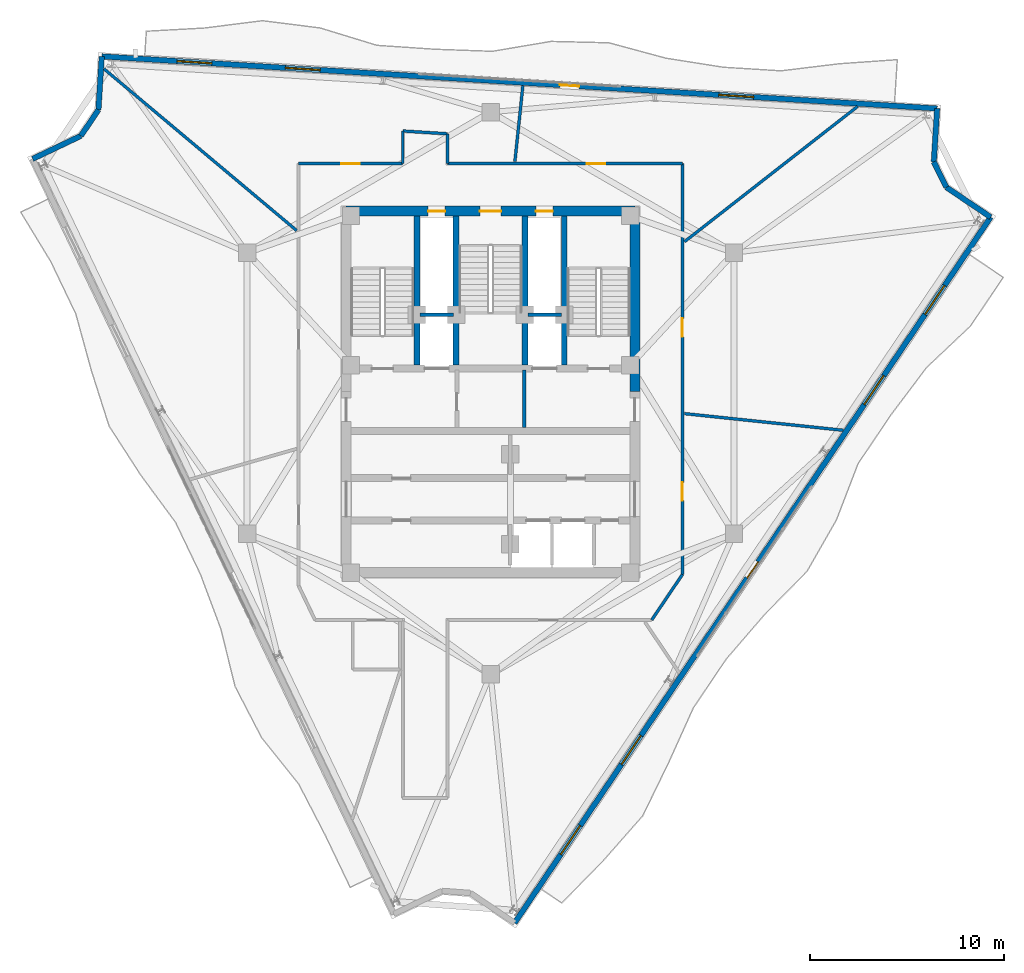
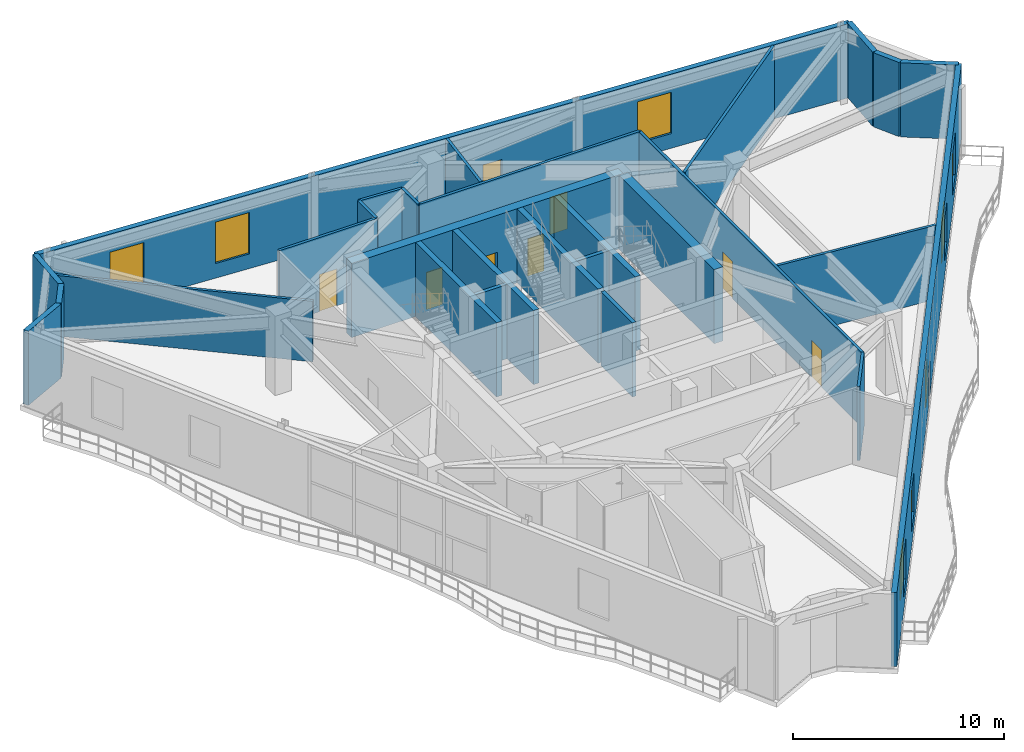
# One storey, part 11 of 15: 28 walls, 9 doors, 7 windows, 16 openings.
"""IFC4 building model written with IfcOpenShell, lengths in metres."""

from ifc_helpers import new_model, si_unit, direction, frame, frame_2d, origin, place, context, subcontext, project, spatial, rectangle, extrude, material, layer, layer_set, type_object, element, fill, save


model = new_model("IFC4")

# Units and contexts
model_context = context("Model", 3, precision=1e-05, world=origin(), true_north=direction((0.0, 1.0)))
body_context = subcontext(model_context, "Body", "Model", "MODEL_VIEW")
ifc_project = project(units=[si_unit("LENGTHUNIT", "METRE"), si_unit("AREAUNIT", "SQUARE_METRE"), si_unit("VOLUMEUNIT", "CUBIC_METRE"), si_unit("PLANEANGLEUNIT", "RADIAN"), si_unit("MASSUNIT", "GRAM", prefix="KILO")], contexts=[model_context])

# Site, building, storey
site_placement = place(None, origin())
site = spatial("IfcSite", under=ifc_project, at=site_placement, CompositionType="ELEMENT")
building_placement = place(site_placement, origin())
building = spatial("IfcBuilding", under=site, at=building_placement, Name="Apsidion Concourse Tower", CompositionType="ELEMENT")
storey_placement = place(building_placement, frame((0.0, 0.0, 323.39990234375)))
storey = spatial("IfcBuildingStorey", under=building, at=storey_placement, Name="L76", CompositionType="ELEMENT", Elevation=323.39990234375)

# Wall, openings, door, windows
ifc_material_1 = material(Name="Precast concrete C40/50", Category="concrete")
ifc_layer_1 = layer(ifc_material_1, 0.280029296875)
ifc_layer_set_1 = layer_set([ifc_layer_1], Name="Precast concrete C40/50")
wall_type_1 = type_object("IfcWallType", Name="WL-EXT-280", PredefinedType="STANDARD", material=ifc_layer_set_1)
wall_1_placement = place(storey_placement, frame((-20.056396484375, 17.376220703125, 0.0), z_axis=(0.0, 0.0, 1.0), x_axis=(0.998061236898, -0.06223959674, 0.0)))
wall_1 = element("IfcWall", 1, at=wall_1_placement, inside=storey, type_object=wall_type_1, Name="L76 Precast Stone Facade Wall 01", PredefinedType="STANDARD", context=body_context, shape_type="SweptSolid", body=[
    extrude(rectangle(XDim=43.179931640625, YDim=0.280029296875, at=frame_2d((21.58984375, 0.0))), origin(), (0.0, 0.0, 1.0), 4.300048828125),
])
opening_1_placement = place(wall_1_placement, frame((23.680908203125, 0.0, 0.0)))
opening_1 = element("IfcOpeningElement", 2, at=opening_1_placement, cuts=wall_1, Name="Opening D-T1L", PredefinedType="OPENING", context=body_context, shape_type="SweptSolid", body=[
    extrude(rectangle(XDim=1.0, YDim=2.14990234375, at=frame_2d((0.5, 1.074951171875))), frame((0.0, 0.14990234375, 0.0), z_axis=(0.0, -1.0, 0.0), x_axis=(1.0, 0.0, 0.0)), (0.0, 0.0, 1.0), 0.300048828125),
])
opening_2_placement = place(wall_1_placement, frame((3.889892578125, 0.0, 0.85009765625)))
opening_2 = element("IfcOpeningElement", 3, at=opening_2_placement, cuts=wall_1, Name="Opening WN-09", PredefinedType="OPENING", context=body_context, shape_type="SweptSolid", body=[
    extrude(rectangle(XDim=1.800048828125, YDim=2.39990234375, at=frame_2d((0.89990234375, 1.199951171875))), frame((0.0, 0.14990234375, 0.0), z_axis=(0.0, -1.0, 0.0), x_axis=(1.0, 0.0, 0.0)), (0.0, 0.0, 1.0), 0.300048828125),
])
opening_3_placement = place(wall_1_placement, frame((9.489990234375, 0.0, 0.85009765625)))
opening_3 = element("IfcOpeningElement", 4, at=opening_3_placement, cuts=wall_1, Name="Opening WN-09", PredefinedType="OPENING", context=body_context, shape_type="SweptSolid", body=[
    extrude(rectangle(XDim=1.800048828125, YDim=2.39990234375, at=frame_2d((0.89990234375, 1.199951171875))), frame((0.0, 0.14990234375, 0.0), z_axis=(0.0, -1.0, 0.0), x_axis=(1.0, 0.0, 0.0)), (0.0, 0.0, 1.0), 0.300048828125),
])
opening_4_placement = place(wall_1_placement, frame((31.889892578125, 0.0, 0.85009765625)))
opening_4 = element("IfcOpeningElement", 5, at=opening_4_placement, cuts=wall_1, Name="Opening WN-09", PredefinedType="OPENING", context=body_context, shape_type="SweptSolid", body=[
    extrude(rectangle(XDim=1.800048828125, YDim=2.39990234375, at=frame_2d((0.89990234375, 1.199951171875))), frame((0.0, 0.14990234375, 0.0), z_axis=(0.0, -1.0, 0.0), x_axis=(1.0, 0.0, 0.0)), (0.0, 0.0, 1.0), 0.300048828125),
])
ifc_material_2 = material(Name="Anodised aluminium EN AW-6063 T6", Category="aluminium")
door_type_1 = type_object("IfcDoorType", Name="DR-TER-1022L", OperationType="SINGLE_SWING_LEFT", PredefinedType="DOOR", material=ifc_material_2)
door_1_placement = place(opening_1_placement, origin())
door_1 = element("IfcDoor", 6, at=door_1_placement, inside=storey, type_object=door_type_1, Name="L76 Balcony Access Door 3", OperationType="SINGLE_SWING_LEFT", OverallHeight=2.14990234375, OverallWidth=1.0, PredefinedType="DOOR", context=body_context, shape_type="SweptSolid", body=[
    extrude(rectangle(XDim=1.0, YDim=2.14990234375, at=frame_2d((0.5, 1.074951171875))), frame((0.0, 0.02490234375, 0.0), z_axis=(0.0, -1.0, 0.0), x_axis=(1.0, 0.0, 0.0)), (0.0, 0.0, 1.0), 0.050048828125),
])
fill(opening_1, door_1)
ifc_material_3 = material(Name="Insulated laminated low-E glass", Category="glass")
window_type = type_object("IfcWindowType", Name="WN-OBS-1826", PartitioningType="DOUBLE_PANEL_VERTICAL", PredefinedType="WINDOW", material=ifc_material_3)
window_1_placement = place(opening_2_placement, origin())
window_1 = element("IfcWindow", 7, at=window_1_placement, inside=storey, type_object=window_type, Name="L76 Punched Facade Window 1-01", OverallHeight=2.39990234375, OverallWidth=1.800048828125, PartitioningType="DOUBLE_PANEL_VERTICAL", PredefinedType="WINDOW", context=body_context, shape_type="SweptSolid", body=[
    extrude(rectangle(XDim=1.800048828125, YDim=2.39990234375, at=frame_2d((0.89990234375, 1.199951171875))), frame((0.0, 0.030029296875, 0.0), z_axis=(0.0, -1.0, 0.0), x_axis=(1.0, 0.0, 0.0)), (0.0, 0.0, 1.0), 0.06005859375),
])
fill(opening_2, window_1)
window_2_placement = place(opening_3_placement, origin())
window_2 = element("IfcWindow", 8, at=window_2_placement, inside=storey, type_object=window_type, Name="L76 Punched Facade Window 1-02", OverallHeight=2.39990234375, OverallWidth=1.800048828125, PartitioningType="DOUBLE_PANEL_VERTICAL", PredefinedType="WINDOW", context=body_context, shape_type="SweptSolid", body=[
    extrude(rectangle(XDim=1.800048828125, YDim=2.39990234375, at=frame_2d((0.89990234375, 1.199951171875))), frame((0.0, 0.030029296875, 0.0), z_axis=(0.0, -1.0, 0.0), x_axis=(1.0, 0.0, 0.0)), (0.0, 0.0, 1.0), 0.06005859375),
])
fill(opening_3, window_2)
window_3_placement = place(opening_4_placement, origin())
window_3 = element("IfcWindow", 9, at=window_3_placement, inside=storey, type_object=window_type, Name="L76 Punched Facade Window 1-06", OverallHeight=2.39990234375, OverallWidth=1.800048828125, PartitioningType="DOUBLE_PANEL_VERTICAL", PredefinedType="WINDOW", context=body_context, shape_type="SweptSolid", body=[
    extrude(rectangle(XDim=1.800048828125, YDim=2.39990234375, at=frame_2d((0.89990234375, 1.199951171875))), frame((0.0, 0.030029296875, 0.0), z_axis=(0.0, -1.0, 0.0), x_axis=(1.0, 0.0, 0.0)), (0.0, 0.0, 1.0), 0.06005859375),
])
fill(opening_4, window_3)

# Walls
wall_2_placement = place(storey_placement, frame((23.039794921875, 14.688720703125, 0.0), z_axis=(0.0, 0.0, 1.0), x_axis=(-0.062295651102, -0.998057739739, 0.0)))
element("IfcWall", 10, at=wall_2_placement, inside=storey, type_object=wall_type_1, Name="L76 Precast Stone Facade Wall 02", PredefinedType="STANDARD", context=body_context, shape_type="SweptSolid", body=[
    extrude(rectangle(XDim=2.759033203125, YDim=0.280029296875, at=frame_2d((1.37939453125, 0.0))), origin(), (0.0, 0.0, 1.0), 4.300048828125),
])
wall_3_placement = place(storey_placement, frame((22.867919921875, 11.93505859375, 0.0), z_axis=(0.0, 0.0, 1.0), x_axis=(0.441785524615, -0.897120699929, 0.0)))
element("IfcWall", 11, at=wall_3_placement, inside=storey, type_object=wall_type_1, Name="L76 Precast Stone Facade Wall 03", PredefinedType="STANDARD", context=body_context, shape_type="SweptSolid", body=[
    extrude(rectangle(XDim=1.45947265625, YDim=0.280029296875, at=frame_2d((0.729736328125, 0.0))), origin(), (0.0, 0.0, 1.0), 4.300048828125),
])
wall_4_placement = place(storey_placement, frame((23.5126953125, 10.625732421875, 0.0), z_axis=(0.0, 0.0, 1.0), x_axis=(0.829056864924, -0.559164300294, 0.0)))
element("IfcWall", 12, at=wall_4_placement, inside=storey, type_object=wall_type_1, Name="L76 Precast Stone Facade Wall 04", PredefinedType="STANDARD", context=body_context, shape_type="SweptSolid", body=[
    extrude(rectangle(XDim=2.759033203125, YDim=0.280029296875, at=frame_2d((1.37939453125, 0.0))), origin(), (0.0, 0.0, 1.0), 4.300048828125),
])

# Wall, openings, door, windows
wall_5_placement = place(storey_placement, frame((25.800048828125, 9.0830078125, 0.0), z_axis=(0.0, 0.0, 1.0), x_axis=(-0.55919392155, -0.829036885851, 0.0)))
wall_5 = element("IfcWall", 13, at=wall_5_placement, inside=storey, type_object=wall_type_1, Name="L76 Precast Stone Facade Wall 05", PredefinedType="STANDARD", context=body_context, shape_type="SweptSolid", body=[
    extrude(rectangle(XDim=43.914794921875, YDim=0.280029296875, at=frame_2d((21.95751953125, 0.0))), origin(), (0.0, 0.0, 1.0), 4.300048828125),
])
opening_5_placement = place(wall_5_placement, frame((21.457275390625, 0.0, 0.0)))
opening_5 = element("IfcOpeningElement", 14, at=opening_5_placement, cuts=wall_5, Name="Opening D-T1R", PredefinedType="OPENING", context=body_context, shape_type="SweptSolid", body=[
    extrude(rectangle(XDim=1.0, YDim=2.14990234375, at=frame_2d((0.5, 1.074951171875))), frame((0.0, 0.14990234375, 0.0), z_axis=(0.0, -1.0, 0.0), x_axis=(1.0, 0.0, 0.0)), (0.0, 0.0, 1.0), 0.300048828125),
])
opening_6_placement = place(wall_5_placement, frame((4.25732421875, 0.0, 0.85009765625)))
opening_6 = element("IfcOpeningElement", 15, at=opening_6_placement, cuts=wall_5, Name="Opening WN-09", PredefinedType="OPENING", context=body_context, shape_type="SweptSolid", body=[
    extrude(rectangle(XDim=1.800048828125, YDim=2.39990234375, at=frame_2d((0.89990234375, 1.199951171875))), frame((0.0, 0.14990234375, 0.0), z_axis=(0.0, -1.0, 0.0), x_axis=(1.0, 0.0, 0.0)), (0.0, 0.0, 1.0), 0.300048828125),
])
opening_7_placement = place(wall_5_placement, frame((9.857421875, 0.0, 0.85009765625)))
opening_7 = element("IfcOpeningElement", 16, at=opening_7_placement, cuts=wall_5, Name="Opening WN-09", PredefinedType="OPENING", context=body_context, shape_type="SweptSolid", body=[
    extrude(rectangle(XDim=1.800048828125, YDim=2.39990234375, at=frame_2d((0.89990234375, 1.199951171875))), frame((0.0, 0.14990234375, 0.0), z_axis=(0.0, -1.0, 0.0), x_axis=(1.0, 0.0, 0.0)), (0.0, 0.0, 1.0), 0.300048828125),
])
opening_8_placement = place(wall_5_placement, frame((32.25732421875, 0.0, 0.85009765625)))
opening_8 = element("IfcOpeningElement", 17, at=opening_8_placement, cuts=wall_5, Name="Opening WN-09", PredefinedType="OPENING", context=body_context, shape_type="SweptSolid", body=[
    extrude(rectangle(XDim=1.800048828125, YDim=2.39990234375, at=frame_2d((0.89990234375, 1.199951171875))), frame((0.0, 0.14990234375, 0.0), z_axis=(0.0, -1.0, 0.0), x_axis=(1.0, 0.0, 0.0)), (0.0, 0.0, 1.0), 0.300048828125),
])
opening_9_placement = place(wall_5_placement, frame((37.857421875, 0.0, 0.85009765625)))
opening_9 = element("IfcOpeningElement", 18, at=opening_9_placement, cuts=wall_5, Name="Opening WN-09", PredefinedType="OPENING", context=body_context, shape_type="SweptSolid", body=[
    extrude(rectangle(XDim=1.800048828125, YDim=2.39990234375, at=frame_2d((0.89990234375, 1.199951171875))), frame((0.0, 0.14990234375, 0.0), z_axis=(0.0, -1.0, 0.0), x_axis=(1.0, 0.0, 0.0)), (0.0, 0.0, 1.0), 0.300048828125),
])
door_type_2 = type_object("IfcDoorType", Name="DR-TER-1022R", OperationType="SINGLE_SWING_RIGHT", PredefinedType="DOOR", material=ifc_material_2)
door_2_placement = place(opening_5_placement, origin())
door_2 = element("IfcDoor", 19, at=door_2_placement, inside=storey, type_object=door_type_2, Name="L76 Balcony Access Door 2", OperationType="SINGLE_SWING_RIGHT", OverallHeight=2.14990234375, OverallWidth=1.0, PredefinedType="DOOR", context=body_context, shape_type="SweptSolid", body=[
    extrude(rectangle(XDim=1.0, YDim=2.14990234375, at=frame_2d((0.5, 1.074951171875))), frame((0.0, 0.02490234375, 0.0), z_axis=(0.0, -1.0, 0.0), x_axis=(1.0, 0.0, 0.0)), (0.0, 0.0, 1.0), 0.050048828125),
])
fill(opening_5, door_2)
window_4_placement = place(opening_6_placement, origin())
window_4 = element("IfcWindow", 20, at=window_4_placement, inside=storey, type_object=window_type, Name="L76 Punched Facade Window 5-01", OverallHeight=2.39990234375, OverallWidth=1.800048828125, PartitioningType="DOUBLE_PANEL_VERTICAL", PredefinedType="WINDOW", context=body_context, shape_type="SweptSolid", body=[
    extrude(rectangle(XDim=1.800048828125, YDim=2.39990234375, at=frame_2d((0.89990234375, 1.199951171875))), frame((0.0, 0.030029296875, 0.0), z_axis=(0.0, -1.0, 0.0), x_axis=(1.0, 0.0, 0.0)), (0.0, 0.0, 1.0), 0.06005859375),
])
fill(opening_6, window_4)
window_5_placement = place(opening_7_placement, origin())
window_5 = element("IfcWindow", 21, at=window_5_placement, inside=storey, type_object=window_type, Name="L76 Punched Facade Window 5-02", OverallHeight=2.39990234375, OverallWidth=1.800048828125, PartitioningType="DOUBLE_PANEL_VERTICAL", PredefinedType="WINDOW", context=body_context, shape_type="SweptSolid", body=[
    extrude(rectangle(XDim=1.800048828125, YDim=2.39990234375, at=frame_2d((0.89990234375, 1.199951171875))), frame((0.0, 0.030029296875, 0.0), z_axis=(0.0, -1.0, 0.0), x_axis=(1.0, 0.0, 0.0)), (0.0, 0.0, 1.0), 0.06005859375),
])
fill(opening_7, window_5)
window_6_placement = place(opening_8_placement, origin())
window_6 = element("IfcWindow", 22, at=window_6_placement, inside=storey, type_object=window_type, Name="L76 Punched Facade Window 5-06", OverallHeight=2.39990234375, OverallWidth=1.800048828125, PartitioningType="DOUBLE_PANEL_VERTICAL", PredefinedType="WINDOW", context=body_context, shape_type="SweptSolid", body=[
    extrude(rectangle(XDim=1.800048828125, YDim=2.39990234375, at=frame_2d((0.89990234375, 1.199951171875))), frame((0.0, 0.030029296875, 0.0), z_axis=(0.0, -1.0, 0.0), x_axis=(1.0, 0.0, 0.0)), (0.0, 0.0, 1.0), 0.06005859375),
])
fill(opening_8, window_6)
window_7_placement = place(opening_9_placement, origin())
window_7 = element("IfcWindow", 23, at=window_7_placement, inside=storey, type_object=window_type, Name="L76 Punched Facade Window 5-07", OverallHeight=2.39990234375, OverallWidth=1.800048828125, PartitioningType="DOUBLE_PANEL_VERTICAL", PredefinedType="WINDOW", context=body_context, shape_type="SweptSolid", body=[
    extrude(rectangle(XDim=1.800048828125, YDim=2.39990234375, at=frame_2d((0.89990234375, 1.199951171875))), frame((0.0, 0.030029296875, 0.0), z_axis=(0.0, -1.0, 0.0), x_axis=(1.0, 0.0, 0.0)), (0.0, 0.0, 1.0), 0.06005859375),
])
fill(opening_9, window_7)

# Walls
wall_6_placement = place(storey_placement, frame((-23.62451171875, 12.0869140625, 0.0), z_axis=(0.0, 0.0, 1.0), x_axis=(0.902092306117, 0.431543127909, 0.0)))
element("IfcWall", 24, at=wall_6_placement, inside=storey, type_object=wall_type_1, Name="L76 Precast Stone Facade Wall 10", PredefinedType="STANDARD", context=body_context, shape_type="SweptSolid", body=[
    extrude(rectangle(XDim=2.76025390625, YDim=0.280029296875, at=frame_2d((1.380126953125, 0.0))), origin(), (0.0, 0.0, 1.0), 4.300048828125),
])
wall_7_placement = place(storey_placement, frame((-21.134521484375, 13.278076171875, 0.0), z_axis=(0.0, 0.0, 1.0), x_axis=(0.559107950815, 0.829094867512, 0.0)))
element("IfcWall", 25, at=wall_7_placement, inside=storey, type_object=wall_type_1, Name="L76 Precast Stone Facade Wall 11", PredefinedType="STANDARD", context=body_context, shape_type="SweptSolid", body=[
    extrude(rectangle(XDim=1.620361328125, YDim=0.280029296875, at=frame_2d((0.81005859375, 0.0))), origin(), (0.0, 0.0, 1.0), 4.300048828125),
])
wall_8_placement = place(storey_placement, frame((-20.228515625, 14.62158203125, 0.0), z_axis=(0.0, 0.0, 1.0), x_axis=(0.062361765106, 0.998053610911, 0.0)))
element("IfcWall", 26, at=wall_8_placement, inside=storey, type_object=wall_type_1, Name="L76 Precast Stone Facade Wall 12", PredefinedType="STANDARD", context=body_context, shape_type="SweptSolid", body=[
    extrude(rectangle(XDim=2.760009765625, YDim=0.280029296875, at=frame_2d((1.3798828125, 0.0))), origin(), (0.0, 0.0, 1.0), 4.300048828125),
])

# Wall, opening, door
ifc_material_4 = material(Name="Gypsum plasterboard partition")
ifc_layer_2 = layer(ifc_material_4, 0.14990234375)
ifc_layer_set_2 = layer_set([ifc_layer_2], Name="Gypsum plasterboard partition")
wall_type_2 = type_object("IfcWallType", Name="WL-INT-PAR-150", PredefinedType="PARTITIONING", material=ifc_layer_set_2)
wall_9_placement = place(storey_placement, frame((-9.89990234375, 11.85009765625, 0.0), z_axis=(0.0, 0.0, 1.0), x_axis=(1.0, 0.0, 0.0)))
wall_9 = element("IfcWall", 27, at=wall_9_placement, inside=storey, type_object=wall_type_2, Name="L76 Interior Partition WL-L76-CORR-04", PredefinedType="PARTITIONING", context=body_context, shape_type="SweptSolid", body=[
    extrude(rectangle(XDim=5.369873046875, YDim=0.14990234375, at=frame_2d((2.68505859375, 0.0))), origin(), (0.0, 0.0, 1.0), 4.300048828125),
])
opening_10_placement = place(wall_9_placement, frame((2.2099609375, 0.0, 0.0)))
opening_10 = element("IfcOpeningElement", 28, at=opening_10_placement, cuts=wall_9, Name="Opening D-01R", PredefinedType="OPENING", context=body_context, shape_type="SweptSolid", body=[
    extrude(rectangle(XDim=0.949951171875, YDim=2.14990234375, at=frame_2d((0.47509765625, 1.074951171875))), frame((0.0, 0.0849609375, 0.0), z_axis=(0.0, -1.0, 0.0), x_axis=(1.0, 0.0, 0.0)), (0.0, 0.0, 1.0), 0.169921875),
])
ifc_material_5 = material(Name="Brushed stainless steel 316", Category="steel")
door_type_3 = type_object("IfcDoorType", Name="DR-INT-D01R", OperationType="SINGLE_SWING_RIGHT", PredefinedType="DOOR", material=ifc_material_5)
door_3_placement = place(opening_10_placement, origin())
door_3 = element("IfcDoor", 29, at=door_3_placement, inside=storey, type_object=door_type_3, Name="L76 Corridor Entry Door 06", OperationType="SINGLE_SWING_RIGHT", OverallHeight=2.14990234375, OverallWidth=0.949951171875, PredefinedType="DOOR", context=body_context, shape_type="SweptSolid", body=[
    extrude(rectangle(XDim=0.949951171875, YDim=2.14990234375, at=frame_2d((0.47509765625, 1.074951171875))), frame((0.0, 0.02490234375, 0.0), z_axis=(0.0, -1.0, 0.0), x_axis=(1.0, 0.0, 0.0)), (0.0, 0.0, 1.0), 0.050048828125),
])
fill(opening_10, door_3)

# Walls
wall_10_placement = place(storey_placement, frame((-4.530029296875, 11.85009765625, 0.0), z_axis=(0.0, 0.0, 1.0), x_axis=(0.0, 1.0, 0.0)))
element("IfcWall", 30, at=wall_10_placement, inside=storey, type_object=wall_type_2, Name="L76 Interior Partition WL-L76-CORR-05", PredefinedType="PARTITIONING", context=body_context, shape_type="SweptSolid", body=[
    extrude(rectangle(XDim=1.67724609375, YDim=0.14990234375, at=frame_2d((0.838623046875, 0.0))), origin(), (0.0, 0.0, 1.0), 4.300048828125),
])
wall_11_placement = place(storey_placement, frame((-4.530029296875, 13.52734375, 0.0), z_axis=(0.0, 0.0, 1.0), x_axis=(0.998061597532, -0.062233813416, 0.0)))
element("IfcWall", 31, at=wall_11_placement, inside=storey, type_object=wall_type_2, Name="L76 Interior Partition WL-L76-CORR-06", PredefinedType="PARTITIONING", context=body_context, shape_type="SweptSolid", body=[
    extrude(rectangle(XDim=2.314453125, YDim=0.14990234375, at=frame_2d((1.1572265625, 0.0))), origin(), (0.0, 0.0, 1.0), 4.300048828125),
])
wall_12_placement = place(storey_placement, frame((-2.219970703125, 13.38330078125, 0.0), z_axis=(0.0, 0.0, 1.0), x_axis=(0.0, -1.0, 0.0)))
element("IfcWall", 32, at=wall_12_placement, inside=storey, type_object=wall_type_2, Name="L76 Interior Partition WL-L76-CORR-07", PredefinedType="PARTITIONING", context=body_context, shape_type="SweptSolid", body=[
    extrude(rectangle(XDim=1.533203125, YDim=0.14990234375, at=frame_2d((0.7666015625, 0.0))), origin(), (0.0, 0.0, 1.0), 4.300048828125),
])

# Wall, opening, door
wall_13_placement = place(storey_placement, frame((-2.219970703125, 11.85009765625, 0.0), z_axis=(0.0, 0.0, 1.0), x_axis=(1.0, 0.0, 0.0)))
wall_13 = element("IfcWall", 33, at=wall_13_placement, inside=storey, type_object=wall_type_2, Name="L76 Interior Partition WL-L76-CORR-08", PredefinedType="PARTITIONING", context=body_context, shape_type="SweptSolid", body=[
    extrude(rectangle(XDim=12.119873046875, YDim=0.14990234375, at=frame_2d((6.06005859375, 0.0))), origin(), (0.0, 0.0, 1.0), 4.300048828125),
])
opening_11_placement = place(wall_13_placement, frame((7.194580078125, 0.0, 0.0)))
opening_11 = element("IfcOpeningElement", 34, at=opening_11_placement, cuts=wall_13, Name="Opening D-01L", PredefinedType="OPENING", context=body_context, shape_type="SweptSolid", body=[
    extrude(rectangle(XDim=0.949951171875, YDim=2.14990234375, at=frame_2d((0.47509765625, 1.074951171875))), frame((0.0, 0.0849609375, 0.0), z_axis=(0.0, -1.0, 0.0), x_axis=(1.0, 0.0, 0.0)), (0.0, 0.0, 1.0), 0.169921875),
])
door_type_4 = type_object("IfcDoorType", Name="DR-INT-D01L", OperationType="SINGLE_SWING_LEFT", PredefinedType="DOOR", material=ifc_material_5)
door_4_placement = place(opening_11_placement, origin())
door_4 = element("IfcDoor", 35, at=door_4_placement, inside=storey, type_object=door_type_4, Name="L76 Corridor Entry Door 05", OperationType="SINGLE_SWING_LEFT", OverallHeight=2.14990234375, OverallWidth=0.949951171875, PredefinedType="DOOR", context=body_context, shape_type="SweptSolid", body=[
    extrude(rectangle(XDim=0.949951171875, YDim=2.14990234375, at=frame_2d((0.47509765625, 1.074951171875))), frame((0.0, 0.02490234375, 0.0), z_axis=(0.0, -1.0, 0.0), x_axis=(1.0, 0.0, 0.0)), (0.0, 0.0, 1.0), 0.050048828125),
])
fill(opening_11, door_4)

# Wall, openings, doors
wall_14_placement = place(storey_placement, frame((9.89990234375, 11.85009765625, 0.0), z_axis=(0.0, 0.0, 1.0), x_axis=(0.0, -1.0, 0.0)))
wall_14 = element("IfcWall", 36, at=wall_14_placement, inside=storey, type_object=wall_type_2, Name="L76 Interior Partition WL-L76-CORR-09", PredefinedType="PARTITIONING", context=body_context, shape_type="SweptSolid", body=[
    extrude(rectangle(XDim=21.198486328125, YDim=0.14990234375, at=frame_2d((10.59912109375, 0.0))), origin(), (0.0, 0.0, 1.0), 4.300048828125),
])
opening_12_placement = place(wall_14_placement, frame((16.445556640625, 0.0, 0.0)))
opening_12 = element("IfcOpeningElement", 37, at=opening_12_placement, cuts=wall_14, Name="Opening D-01L", PredefinedType="OPENING", context=body_context, shape_type="SweptSolid", body=[
    extrude(rectangle(XDim=0.949951171875, YDim=2.14990234375, at=frame_2d((0.47509765625, 1.074951171875))), frame((0.0, 0.0849609375, 0.0), z_axis=(0.0, -1.0, 0.0), x_axis=(1.0, 0.0, 0.0)), (0.0, 0.0, 1.0), 0.169921875),
])
opening_13_placement = place(wall_14_placement, frame((7.99169921875, 0.0, 0.0)))
opening_13 = element("IfcOpeningElement", 38, at=opening_13_placement, cuts=wall_14, Name="Opening D-01R", PredefinedType="OPENING", context=body_context, shape_type="SweptSolid", body=[
    extrude(rectangle(XDim=0.949951171875, YDim=2.14990234375, at=frame_2d((0.47509765625, 1.074951171875))), frame((0.0, 0.0849609375, 0.0), z_axis=(0.0, -1.0, 0.0), x_axis=(1.0, 0.0, 0.0)), (0.0, 0.0, 1.0), 0.169921875),
])
door_5_placement = place(opening_12_placement, origin())
door_5 = element("IfcDoor", 39, at=door_5_placement, inside=storey, type_object=door_type_4, Name="L76 Corridor Entry Door 03", OperationType="SINGLE_SWING_LEFT", OverallHeight=2.14990234375, OverallWidth=0.949951171875, PredefinedType="DOOR", context=body_context, shape_type="SweptSolid", body=[
    extrude(rectangle(XDim=0.949951171875, YDim=2.14990234375, at=frame_2d((0.47509765625, 1.074951171875))), frame((0.0, 0.02490234375, 0.0), z_axis=(0.0, -1.0, 0.0), x_axis=(1.0, 0.0, 0.0)), (0.0, 0.0, 1.0), 0.050048828125),
])
fill(opening_12, door_5)
door_6_placement = place(opening_13_placement, origin())
door_6 = element("IfcDoor", 40, at=door_6_placement, inside=storey, type_object=door_type_3, Name="L76 Corridor Entry Door 04", OperationType="SINGLE_SWING_RIGHT", OverallHeight=2.14990234375, OverallWidth=0.949951171875, PredefinedType="DOOR", context=body_context, shape_type="SweptSolid", body=[
    extrude(rectangle(XDim=0.949951171875, YDim=2.14990234375, at=frame_2d((0.47509765625, 1.074951171875))), frame((0.0, 0.02490234375, 0.0), z_axis=(0.0, -1.0, 0.0), x_axis=(1.0, 0.0, 0.0)), (0.0, 0.0, 1.0), 0.050048828125),
])
fill(opening_13, door_6)

# Walls
wall_15_placement = place(storey_placement, frame((9.89990234375, -9.348388671875, 0.0), z_axis=(0.0, 0.0, 1.0), x_axis=(-0.559200828408, -0.829032227062, 0.0)))
element("IfcWall", 41, at=wall_15_placement, inside=storey, type_object=wall_type_2, Name="L76 Interior Partition WL-L76-CORR-10", PredefinedType="PARTITIONING", context=body_context, shape_type="SweptSolid", body=[
    extrude(rectangle(XDim=2.83642578125, YDim=0.14990234375, at=frame_2d((1.418212890625, 0.0))), origin(), (0.0, 0.0, 1.0), 4.300048828125),
])
wall_16_placement = place(storey_placement, frame((1.256591796875, 11.955078125, 0.0), z_axis=(0.0, 0.0, 1.0), x_axis=(0.104481192864, 0.994526862552, 0.0)))
element("IfcWall", 42, at=wall_16_placement, inside=storey, type_object=wall_type_2, Name="L76 Interior Partition WL-L76-RAD-01-1", PredefinedType="PARTITIONING", context=body_context, shape_type="SweptSolid", body=[
    extrude(rectangle(XDim=3.9326171875, YDim=0.14990234375, at=frame_2d((1.96630859375, 0.0))), origin(), (0.0, 0.0, 1.0), 4.300048828125),
])
wall_17_placement = place(storey_placement, frame((-10.0048828125, 8.395263671875, 0.0), z_axis=(0.0, 0.0, 1.0), x_axis=(-0.766047733122, 0.642783688793, 0.0)))
element("IfcWall", 43, at=wall_17_placement, inside=storey, type_object=wall_type_2, Name="L76 Interior Partition WL-L76-RAD-02-1", PredefinedType="PARTITIONING", context=body_context, shape_type="SweptSolid", body=[
    extrude(rectangle(XDim=12.97119140625, YDim=0.14990234375, at=frame_2d((6.485595703125, 0.0))), origin(), (0.0, 0.0, 1.0), 3.510009765625),
])
wall_18_placement = place(storey_placement, frame((10.0048828125, -1.051513671875, 0.0), z_axis=(0.0, 0.0, 1.0), x_axis=(0.994520546935, -0.104541291957, 0.0)))
element("IfcWall", 44, at=wall_18_placement, inside=storey, type_object=wall_type_2, Name="L76 Interior Partition WL-L76-RAD-06-1", PredefinedType="PARTITIONING", context=body_context, shape_type="SweptSolid", body=[
    extrude(rectangle(XDim=8.23681640625, YDim=0.14990234375, at=frame_2d((4.118408203125, 0.0))), origin(), (0.0, 0.0, 1.0), 4.300048828125),
])
wall_19_placement = place(storey_placement, frame((10.0048828125, 7.81689453125, 0.0), z_axis=(0.0, 0.0, 1.0), x_axis=(0.788026007749, 0.615641950415, 0.0)))
element("IfcWall", 45, at=wall_19_placement, inside=storey, type_object=wall_type_2, Name="L76 Interior Partition WL-L76-RAD-07-1", PredefinedType="PARTITIONING", context=body_context, shape_type="SweptSolid", body=[
    extrude(rectangle(XDim=11.325927734375, YDim=0.14990234375, at=frame_2d((5.6630859375, 0.0))), origin(), (0.0, 0.0, 1.0), 4.300048828125),
])
ifc_layer_3 = layer(ifc_material_4, 0.199951171875)
ifc_layer_set_3 = layer_set([ifc_layer_3], Name="Gypsum plasterboard partition")
wall_type_3 = type_object("IfcWallType", Name="WL-INT-PAR-200", PredefinedType="PARTITIONING", material=ifc_layer_set_3)
for number, where, z_axis, x_axis, name in (
    (46, (-3.64990234375, 4.050048828125, 0.0), (0.0, 0.0, 1.0), (1.0, 0.0, 0.0), "L76 Interior Partition WL-L76-FF1-N"),
    (47, (1.919921875, 4.050048828125, 0.0), (0.0, 0.0, 1.0), (1.0, 0.0, 0.0), "L76 Interior Partition WL-L76-FF2-N"),
):
    element("IfcWall", number, at=place(storey_placement, frame(where, z_axis=z_axis, x_axis=x_axis)), inside=storey, type_object=wall_type_3, Name=name, PredefinedType="PARTITIONING", context=body_context, shape_type="SweptSolid", body=[
        extrude(rectangle(XDim=1.72998046875, YDim=0.199951171875, at=frame_2d((0.864990234375, 0.0))), origin(), (0.0, 0.0, 1.0), 4.300048828125),
    ])
wall_20_placement = place(storey_placement, frame((1.739990234375, -1.780029296875, 0.0), z_axis=(0.0, 0.0, 1.0), x_axis=(0.0, 1.0, 0.0)))
element("IfcWall", 48, at=wall_20_placement, inside=storey, type_object=wall_type_3, Name="L76 Interior Partition WL-L76-FF2-W", PredefinedType="PARTITIONING", context=body_context, shape_type="SweptSolid", body=[
    extrude(rectangle(XDim=2.97998046875, YDim=0.199951171875, at=frame_2d((1.489990234375, 0.0))), origin(), (0.0, 0.0, 1.0), 4.300048828125),
])
ifc_material_6 = material(Name="Concrete C50/60", Category="concrete")
ifc_layer_4 = layer(ifc_material_6, 0.300048828125)
ifc_layer_set_4 = layer_set([ifc_layer_4], Name="Concrete C50/60")
wall_type_4 = type_object("IfcWallType", Name="WL-SH-300", PredefinedType="SHEAR", material=ifc_layer_set_4)
for number, where, z_axis, x_axis, name in (
    (49, (-3.800048828125, 1.449951171875, 0.0), (0.0, 0.0, 1.0), (0.0, 1.0, 0.0), "L76 Central Core Shear Wall V1"),
    (50, (-1.77490234375, 1.449951171875, 0.0), (0.0, 0.0, 1.0), (0.0, 1.0, 0.0), "L76 Central Core Shear Wall V2"),
    (51, (1.77490234375, 1.449951171875, 0.0), (0.0, 0.0, 1.0), (0.0, 1.0, 0.0), "L76 Central Core Shear Wall V3"),
    (52, (3.800048828125, 1.449951171875, 0.0), (0.0, 0.0, 1.0), (0.0, 1.0, 0.0), "L76 Central Core Shear Wall V4"),
):
    element("IfcWall", number, at=place(storey_placement, frame(where, z_axis=z_axis, x_axis=x_axis)), inside=storey, type_object=wall_type_4, Name=name, PredefinedType="SHEAR", context=body_context, shape_type="SweptSolid", body=[
        extrude(rectangle(XDim=7.699951171875, YDim=0.300048828125, at=frame_2d((3.85009765625, 0.0))), origin(), (0.0, 0.0, 1.0), 4.300048828125),
    ])

# Wall, openings, doors
ifc_layer_5 = layer(ifc_material_6, 0.5)
ifc_layer_set_5 = layer_set([ifc_layer_5], Name="Concrete C50/60")
wall_type_5 = type_object("IfcWallType", Name="WL-SH-500", PredefinedType="SHEAR", material=ifc_layer_set_5)
wall_21_placement = place(storey_placement, frame((-7.449951171875, 9.39990234375, 0.0), z_axis=(0.0, 0.0, 1.0), x_axis=(1.0, 0.0, 0.0)))
wall_21 = element("IfcWall", 53, at=wall_21_placement, inside=storey, type_object=wall_type_5, Name="L76 Central Core Shear Wall N", PredefinedType="SHEAR", context=body_context, shape_type="SweptSolid", body=[
    extrude(rectangle(XDim=14.89990234375, YDim=0.5, at=frame_2d((7.449951171875, 0.0))), origin(), (0.0, 0.0, 1.0), 4.300048828125),
])
opening_14_placement = place(wall_21_placement, frame((6.89990234375, 0.0, 0.0)))
opening_14 = element("IfcOpeningElement", 54, at=opening_14_placement, cuts=wall_21, Name="Opening D-STL", PredefinedType="OPENING", context=body_context, shape_type="SweptSolid", body=[
    extrude(rectangle(XDim=1.10009765625, YDim=2.14990234375, at=frame_2d((0.550048828125, 1.074951171875))), frame((0.0, 0.260009765625, 0.0), z_axis=(0.0, -1.0, 0.0), x_axis=(1.0, 0.0, 0.0)), (0.0, 0.0, 1.0), 0.52001953125),
])
opening_15_placement = place(wall_21_placement, frame((4.22998046875, 0.0, 0.0)))
opening_15 = element("IfcOpeningElement", 55, at=opening_15_placement, cuts=wall_21, Name="Opening D-05L", PredefinedType="OPENING", context=body_context, shape_type="SweptSolid", body=[
    extrude(rectangle(XDim=0.8798828125, YDim=2.14990234375, at=frame_2d((0.43994140625, 1.074951171875))), frame((0.0, 0.260009765625, 0.0), z_axis=(0.0, -1.0, 0.0), x_axis=(1.0, 0.0, 0.0)), (0.0, 0.0, 1.0), 0.52001953125),
])
opening_16_placement = place(wall_21_placement, frame((9.7900390625, 0.0, 0.0)))
opening_16 = element("IfcOpeningElement", 56, at=opening_16_placement, cuts=wall_21, Name="Opening D-05R", PredefinedType="OPENING", context=body_context, shape_type="SweptSolid", body=[
    extrude(rectangle(XDim=0.8798828125, YDim=2.14990234375, at=frame_2d((0.43994140625, 1.074951171875))), frame((0.0, 0.260009765625, 0.0), z_axis=(0.0, -1.0, 0.0), x_axis=(1.0, 0.0, 0.0)), (0.0, 0.0, 1.0), 0.52001953125),
])
door_type_5 = type_object("IfcDoorType", Name="DR-INT-D05L", OperationType="SINGLE_SWING_LEFT", PredefinedType="DOOR", material=ifc_material_5)
door_7_placement = place(opening_15_placement, origin())
door_7 = element("IfcDoor", 57, at=door_7_placement, inside=storey, type_object=door_type_5, Name="L76 Electrical Riser Shaft Access Door", OperationType="SINGLE_SWING_LEFT", OverallHeight=2.14990234375, OverallWidth=0.8798828125, PredefinedType="DOOR", context=body_context, shape_type="SweptSolid", body=[
    extrude(rectangle(XDim=0.8798828125, YDim=2.14990234375, at=frame_2d((0.43994140625, 1.074951171875))), frame((0.0, 0.02490234375, 0.0), z_axis=(0.0, -1.0, 0.0), x_axis=(1.0, 0.0, 0.0)), (0.0, 0.0, 1.0), 0.050048828125),
])
fill(opening_15, door_7)
door_type_6 = type_object("IfcDoorType", Name="DR-INT-D05R", OperationType="SINGLE_SWING_RIGHT", PredefinedType="DOOR", material=ifc_material_5)
door_8_placement = place(opening_16_placement, origin())
door_8 = element("IfcDoor", 58, at=door_8_placement, inside=storey, type_object=door_type_6, Name="L76 Mechanical Riser Shaft Access Door", OperationType="SINGLE_SWING_RIGHT", OverallHeight=2.14990234375, OverallWidth=0.8798828125, PredefinedType="DOOR", context=body_context, shape_type="SweptSolid", body=[
    extrude(rectangle(XDim=0.8798828125, YDim=2.14990234375, at=frame_2d((0.43994140625, 1.074951171875))), frame((0.0, 0.02490234375, 0.0), z_axis=(0.0, -1.0, 0.0), x_axis=(1.0, 0.0, 0.0)), (0.0, 0.0, 1.0), 0.050048828125),
])
fill(opening_16, door_8)
door_type_7 = type_object("IfcDoorType", Name="DR-INT-ST1L", OperationType="SINGLE_SWING_LEFT", PredefinedType="DOOR", material=ifc_material_5)
door_9_placement = place(opening_14_placement, origin())
door_9 = element("IfcDoor", 59, at=door_9_placement, inside=storey, type_object=door_type_7, Name="L76 Core Exit Stair ST3 Door", OperationType="SINGLE_SWING_LEFT", OverallHeight=2.14990234375, OverallWidth=1.10009765625, PredefinedType="DOOR", context=body_context, shape_type="SweptSolid", body=[
    extrude(rectangle(XDim=1.10009765625, YDim=2.14990234375, at=frame_2d((0.550048828125, 1.074951171875))), frame((0.0, 0.02490234375, 0.0), z_axis=(0.0, -1.0, 0.0), x_axis=(1.0, 0.0, 0.0)), (0.0, 0.0, 1.0), 0.050048828125),
])
fill(opening_14, door_9)

# Wall
wall_22_placement = place(storey_placement, frame((7.449951171875, 0.10009765625, 0.0), z_axis=(0.0, 0.0, 1.0), x_axis=(0.0, 1.0, 0.0)))
element("IfcWall", 60, at=wall_22_placement, inside=storey, type_object=wall_type_5, Name="L76 Central Core Shear Wall EN", PredefinedType="SHEAR", context=body_context, shape_type="SweptSolid", body=[
    extrude(rectangle(XDim=9.0498046875, YDim=0.5, at=frame_2d((4.52490234375, 0.0))), origin(), (0.0, 0.0, 1.0), 4.300048828125),
])

save(model, "model.ifc")
